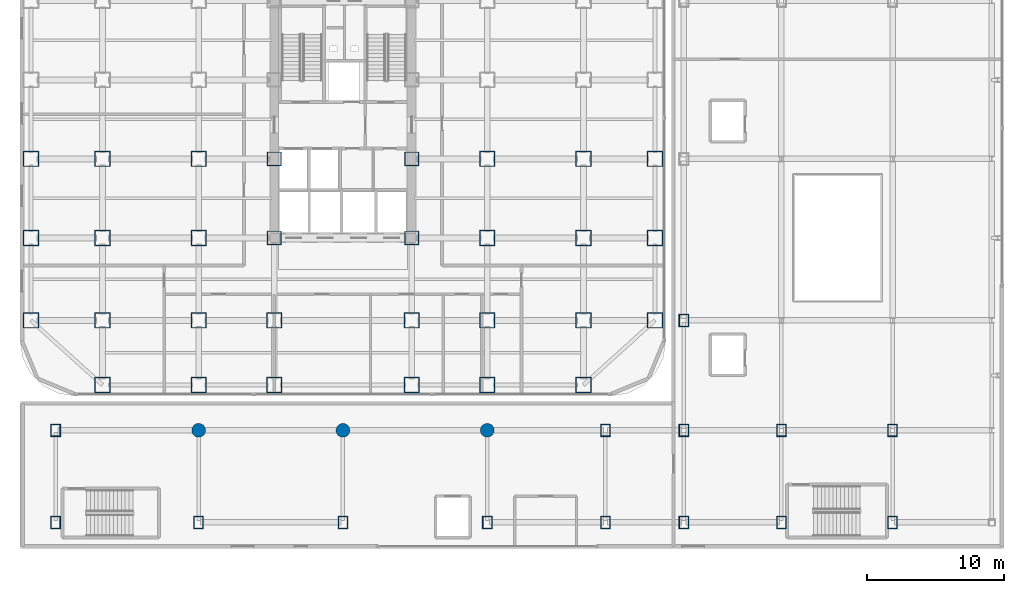
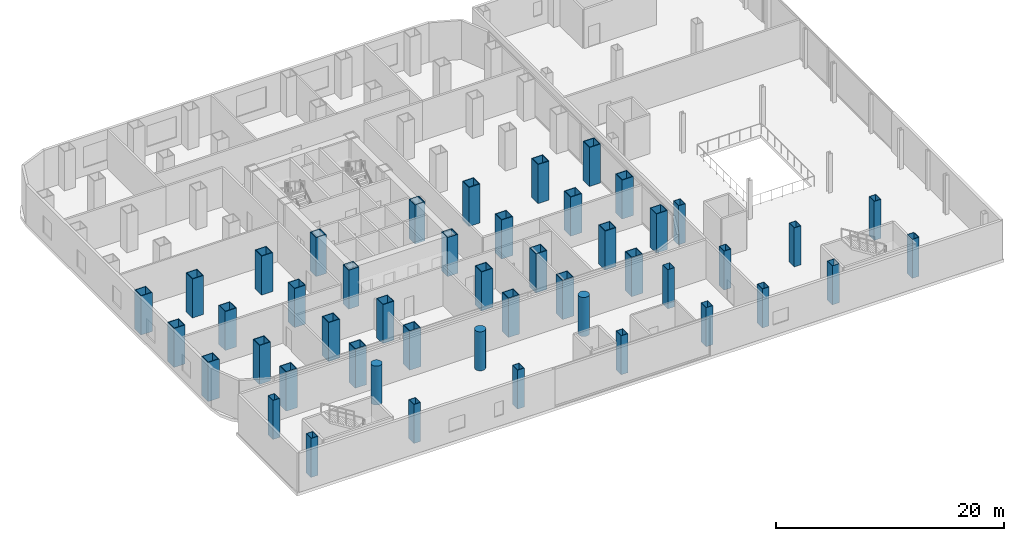
# One storey, part 1 of 27: 47 columns.
"""IFC4 building model written with IfcOpenShell, lengths in metres."""

from ifc_helpers import new_model, si_unit, direction, frame, origin, origin_2d, place, context, subcontext, project, spatial, hollow_rectangle, circle, extrude, source, transform, mapped, material, material_profile, profile_set, type_object, element, save


model = new_model("IFC4")

# Units and contexts
model_context = context("Model", 3, precision=1e-05, world=origin(), true_north=direction((0.0, 1.0)))
body_context = subcontext(model_context, "Body", "Model", "MODEL_VIEW")
ifc_project = project(units=[si_unit("LENGTHUNIT", "METRE"), si_unit("AREAUNIT", "SQUARE_METRE"), si_unit("VOLUMEUNIT", "CUBIC_METRE"), si_unit("PLANEANGLEUNIT", "RADIAN"), si_unit("MASSUNIT", "GRAM", prefix="KILO")], contexts=[model_context])

# Site, building, storey
site_placement = place(None, origin())
site = spatial("IfcSite", under=ifc_project, at=site_placement, CompositionType="ELEMENT")
building_placement = place(site_placement, origin())
building = spatial("IfcBuilding", under=site, at=building_placement, Name="Kolveth Station Tower", CompositionType="ELEMENT")
storey_placement = place(building_placement, frame((0.0, 0.0, 13.5)))
storey = spatial("IfcBuildingStorey", under=building, at=storey_placement, Name="L03", CompositionType="ELEMENT", Elevation=13.5)

# Columns
ifc_material_1 = material(Name="Steel S460", Category="steel")
ifc_material_profile_1 = material_profile(ifc_material_1, hollow_rectangle(XDim=1.139892578125, YDim=1.139892578125, WallThickness=0.070068359375, at=origin_2d()), Name="BOX1140x1140x70")
ifc_profile_set_1 = profile_set([ifc_material_profile_1], Name="Steel S460")
column_type_1 = type_object("IfcColumnType", Name="Col_C1", PredefinedType="COLUMN", material=ifc_profile_set_1)
shared_shape_1 = source(origin(), body_context, "Body", "SweptSolid", [
    extrude(hollow_rectangle(XDim=1.139892578125, YDim=1.139892578125, WallThickness=0.070068359375, at=origin_2d()), origin(), (0.0, 0.0, 1.0), 4.179931640625),
])
for number, where, z_axis, x_axis, name in (
    (1, (6.0, 0.800048828125, 0.0), (0.0, 0.0, 1.0), (1.0, 0.0, 0.0), "L03 Tower Column S-X60"),
    (2, (13.0, 0.800048828125, 0.0), (0.0, 0.0, 1.0), (1.0, 0.0, 0.0), "L03 Tower Column S-X130"),
    (3, (18.5, 0.800048828125, 0.0), (0.0, 0.0, 1.0), (1.0, 0.0, 0.0), "L03 Tower Column S-X185"),
    (4, (28.5, 0.800048828125, 0.0), (0.0, 0.0, 1.0), (1.0, 0.0, 0.0), "L03 Tower Column S-X285"),
    (5, (34.0, 0.800048828125, 0.0), (0.0, 0.0, 1.0), (1.0, 0.0, 0.0), "L03 Tower Column S-X340"),
    (6, (41.0, 0.800048828125, 0.0), (0.0, 0.0, 1.0), (1.0, 0.0, 0.0), "L03 Tower Column S-X410"),
    (7, (0.800048828125, 5.5, 0.0), (0.0, 0.0, 1.0), (1.0, 0.0, 0.0), "L03 Tower Column W-Y55"),
    (8, (46.199951171875, 5.5, 0.0), (0.0, 0.0, 1.0), (1.0, 0.0, 0.0), "L03 Tower Column E-Y55"),
    (9, (0.800048828125, 11.5, 0.0), (0.0, 0.0, 1.0), (1.0, 0.0, 0.0), "L03 Tower Column W-Y115"),
    (10, (46.199951171875, 11.5, 0.0), (0.0, 0.0, 1.0), (1.0, 0.0, 0.0), "L03 Tower Column E-Y115"),
    (11, (0.800048828125, 17.25, 0.0), (0.0, 0.0, 1.0), (1.0, 0.0, 0.0), "L03 Tower Column W-Y172"),
    (12, (46.199951171875, 17.25, 0.0), (0.0, 0.0, 1.0), (1.0, 0.0, 0.0), "L03 Tower Column E-Y172"),
    (13, (6.0, 5.5, 0.0), (0.0, 0.0, 1.0), (1.0, 0.0, 0.0), "L03 Tower Column G-60-55"),
    (14, (6.0, 11.5, 0.0), (0.0, 0.0, 1.0), (1.0, 0.0, 0.0), "L03 Tower Column G-60-115"),
    (15, (6.0, 17.25, 0.0), (0.0, 0.0, 1.0), (1.0, 0.0, 0.0), "L03 Tower Column G-60-172"),
    (16, (13.0, 5.5, 0.0), (0.0, 0.0, 1.0), (1.0, 0.0, 0.0), "L03 Tower Column G-130-55"),
    (17, (13.0, 11.5, 0.0), (0.0, 0.0, 1.0), (1.0, 0.0, 0.0), "L03 Tower Column G-130-115"),
    (18, (13.0, 17.25, 0.0), (0.0, 0.0, 1.0), (1.0, 0.0, 0.0), "L03 Tower Column G-130-172"),
    (19, (18.5, 5.5, 0.0), (0.0, 0.0, 1.0), (1.0, 0.0, 0.0), "L03 Tower Column G-185-55"),
    (20, (28.5, 5.5, 0.0), (0.0, 0.0, 1.0), (1.0, 0.0, 0.0), "L03 Tower Column G-285-55"),
    (21, (34.0, 5.5, 0.0), (0.0, 0.0, 1.0), (1.0, 0.0, 0.0), "L03 Tower Column G-340-55"),
    (22, (34.0, 11.5, 0.0), (0.0, 0.0, 1.0), (1.0, 0.0, 0.0), "L03 Tower Column G-340-115"),
    (23, (34.0, 17.25, 0.0), (0.0, 0.0, 1.0), (1.0, 0.0, 0.0), "L03 Tower Column G-340-172"),
    (24, (41.0, 5.5, 0.0), (0.0, 0.0, 1.0), (1.0, 0.0, 0.0), "L03 Tower Column G-410-55"),
    (25, (41.0, 11.5, 0.0), (0.0, 0.0, 1.0), (1.0, 0.0, 0.0), "L03 Tower Column G-410-115"),
    (26, (41.0, 17.25, 0.0), (0.0, 0.0, 1.0), (1.0, 0.0, 0.0), "L03 Tower Column G-410-172"),
):
    element("IfcColumn", number, at=place(storey_placement, frame(where, z_axis=z_axis, x_axis=x_axis)), inside=storey, type_object=column_type_1, Name=name, PredefinedType="COLUMN", context=body_context, shape_type="MappedRepresentation", body=[
        mapped(shared_shape_1, transform((0.0, 0.0, 0.0), x_axis=(1.0, 0.0, 0.0), y_axis=(0.0, 1.0, 0.0), z_axis=(0.0, 0.0, 1.0), scale=1.0)),
    ])
ifc_material_profile_2 = material_profile(ifc_material_1, hollow_rectangle(XDim=1.0400390625, YDim=1.0400390625, WallThickness=0.06494140625, at=origin_2d()), Name="BOX1040x1040x65")
ifc_profile_set_2 = profile_set([ifc_material_profile_2], Name="Steel S460")
column_type_2 = type_object("IfcColumnType", Name="Col_C2", PredefinedType="COLUMN", material=ifc_profile_set_2)
shared_shape_2 = source(origin(), body_context, "Body", "SweptSolid", [
    extrude(hollow_rectangle(XDim=1.0400390625, YDim=1.0400390625, WallThickness=0.06494140625, at=origin_2d()), origin(), (0.0, 0.0, 1.0), 4.179931640625),
])
for number, where, z_axis, x_axis, name in (
    (27, (18.5, 11.5, 0.0), (0.0, 0.0, 1.0), (1.0, 0.0, 0.0), "L03 Tower Column G-185-115"),
    (28, (18.5, 17.25, 0.0), (0.0, 0.0, 1.0), (1.0, 0.0, 0.0), "L03 Tower Column G-185-172"),
    (29, (28.5, 11.5, 0.0), (0.0, 0.0, 1.0), (1.0, 0.0, 0.0), "L03 Tower Column G-285-115"),
    (30, (28.5, 17.25, 0.0), (0.0, 0.0, 1.0), (1.0, 0.0, 0.0), "L03 Tower Column G-285-172"),
):
    element("IfcColumn", number, at=place(storey_placement, frame(where, z_axis=z_axis, x_axis=x_axis)), inside=storey, type_object=column_type_2, Name=name, PredefinedType="COLUMN", context=body_context, shape_type="MappedRepresentation", body=[
        mapped(shared_shape_2, transform((0.0, 0.0, 0.0), x_axis=(1.0, 0.0, 0.0), y_axis=(0.0, 1.0, 0.0), z_axis=(0.0, 0.0, 1.0), scale=1.0)),
    ])
ifc_material_2 = material(Name="Steel S355", Category="steel")
ifc_material_profile_3 = material_profile(ifc_material_2, hollow_rectangle(XDim=0.699951171875, YDim=0.89990234375, WallThickness=0.0400390625, at=origin_2d()), Name="BOX900x700x40")
ifc_profile_set_3 = profile_set([ifc_material_profile_3], Name="Steel S355")
column_type_3 = type_object("IfcColumnType", Name="Col_SC1", PredefinedType="COLUMN", material=ifc_profile_set_3)
shared_shape_3 = source(origin(), body_context, "Body", "SweptSolid", [
    extrude(hollow_rectangle(XDim=0.699951171875, YDim=0.89990234375, WallThickness=0.0400390625, at=origin_2d()), origin(), (0.0, 0.0, 1.0), 4.179931640625),
])
for number, where, z_axis, x_axis, name in (
    (31, (2.60009765625, -9.199951171875, 0.0), (0.0, 0.0, 1.0), (1.0, 0.0, 0.0), "L03 Station Column SS-A1"),
    (32, (2.60009765625, -2.5, 0.0), (0.0, 0.0, 1.0), (1.0, 0.0, 0.0), "L03 Station Column SS-B1"),
    (33, (13.0, -9.199951171875, 0.0), (0.0, 0.0, 1.0), (1.0, 0.0, 0.0), "L03 Station Column SS-A2"),
    (34, (23.5, -9.199951171875, 0.0), (0.0, 0.0, 1.0), (1.0, 0.0, 0.0), "L03 Station Column SS-A3"),
    (35, (34.0, -9.199951171875, 0.0), (0.0, 0.0, 1.0), (1.0, 0.0, 0.0), "L03 Station Column SS-A4"),
    (36, (42.60009765625, -9.199951171875, 0.0), (0.0, 0.0, 1.0), (1.0, 0.0, 0.0), "L03 Station Column SS-A5"),
    (37, (42.60009765625, -2.5, 0.0), (0.0, 0.0, 1.0), (1.0, 0.0, 0.0), "L03 Station Column SS-B5"),
    (38, (48.300048828125, -9.199951171875, 0.0), (0.0, 0.0, 1.0), (1.0, 0.0, 0.0), "L03 Station Column SE-1-1"),
    (39, (48.300048828125, -2.5, 0.0), (0.0, 0.0, 1.0), (1.0, 0.0, 0.0), "L03 Station Column SE-1-2"),
    (40, (48.300048828125, 5.5, 0.0), (0.0, 0.0, 1.0), (1.0, 0.0, 0.0), "L03 Station Column SE-1-3"),
    (41, (55.39990234375, -9.199951171875, 0.0), (0.0, 0.0, 1.0), (1.0, 0.0, 0.0), "L03 Station Column SE-2-1"),
    (42, (55.39990234375, -2.5, 0.0), (0.0, 0.0, 1.0), (1.0, 0.0, 0.0), "L03 Station Column SE-2-2"),
    (43, (63.5, -9.199951171875, 0.0), (0.0, 0.0, 1.0), (1.0, 0.0, 0.0), "L03 Station Column SE-3-1"),
    (44, (63.5, -2.5, 0.0), (0.0, 0.0, 1.0), (1.0, 0.0, 0.0), "L03 Station Column SE-3-2"),
):
    element("IfcColumn", number, at=place(storey_placement, frame(where, z_axis=z_axis, x_axis=x_axis)), inside=storey, type_object=column_type_3, Name=name, PredefinedType="COLUMN", context=body_context, shape_type="MappedRepresentation", body=[
        mapped(shared_shape_3, transform((0.0, 0.0, 0.0), x_axis=(1.0, 0.0, 0.0), y_axis=(0.0, 1.0, 0.0), z_axis=(0.0, 0.0, 1.0), scale=1.0)),
    ])
ifc_material_3 = material(Name="Concrete C50/60", Category="concrete")
ifc_material_profile_4 = material_profile(ifc_material_3, circle(Radius=0.5, at=origin_2d()), Name="RC-D1000")
ifc_profile_set_4 = profile_set([ifc_material_profile_4], Name="Concrete C50/60")
column_type_4 = type_object("IfcColumnType", Name="Col_CC1", PredefinedType="COLUMN", material=ifc_profile_set_4)
shared_shape_4 = source(origin(), body_context, "Body", "SweptSolid", [
    extrude(circle(Radius=0.5, at=origin_2d()), origin(), (0.0, 0.0, 1.0), 4.179931640625),
])
for number, where, z_axis, x_axis, name in (
    (45, (13.0, -2.5, 0.0), (0.0, 0.0, 1.0), (1.0, 0.0, 0.0), "L03 Station Column SS-B2"),
    (46, (23.5, -2.5, 0.0), (0.0, 0.0, 1.0), (1.0, 0.0, 0.0), "L03 Station Column SS-B3"),
    (47, (34.0, -2.5, 0.0), (0.0, 0.0, 1.0), (1.0, 0.0, 0.0), "L03 Station Column SS-B4"),
):
    element("IfcColumn", number, at=place(storey_placement, frame(where, z_axis=z_axis, x_axis=x_axis)), inside=storey, type_object=column_type_4, Name=name, PredefinedType="COLUMN", context=body_context, shape_type="MappedRepresentation", body=[
        mapped(shared_shape_4, transform((0.0, 0.0, 0.0), x_axis=(1.0, 0.0, 0.0), y_axis=(0.0, 1.0, 0.0), z_axis=(0.0, 0.0, 1.0), scale=1.0)),
    ])

save(model, "model.ifc")
